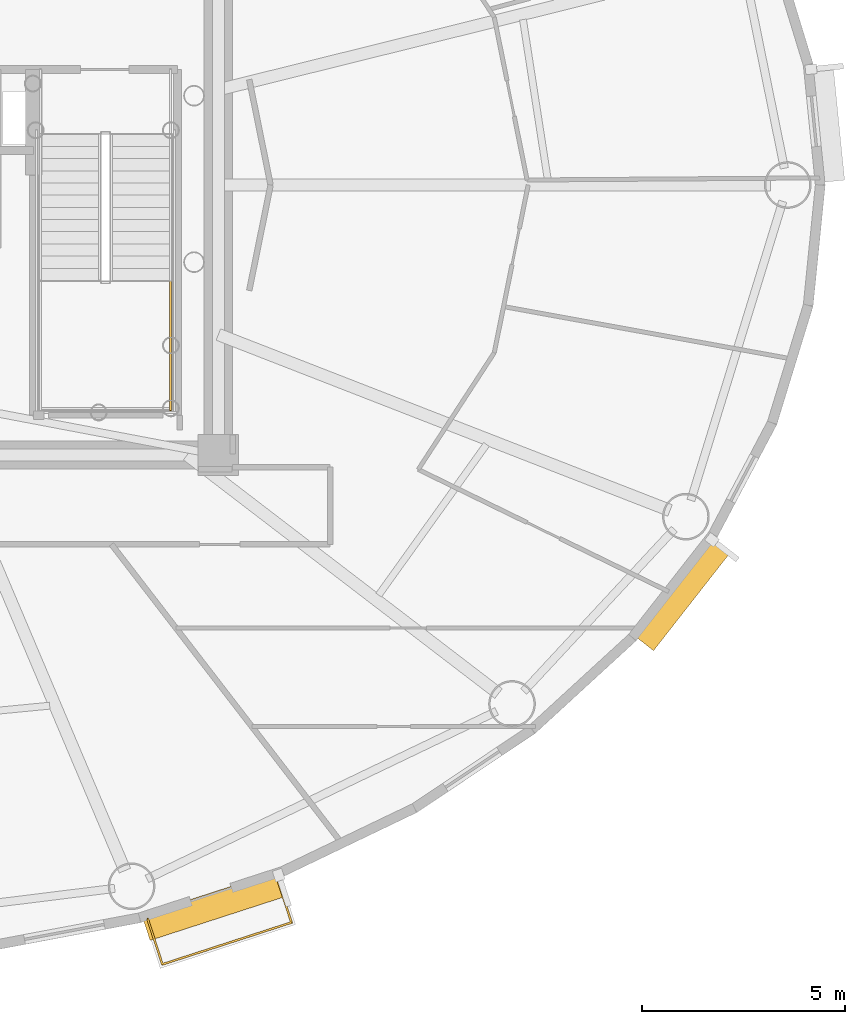
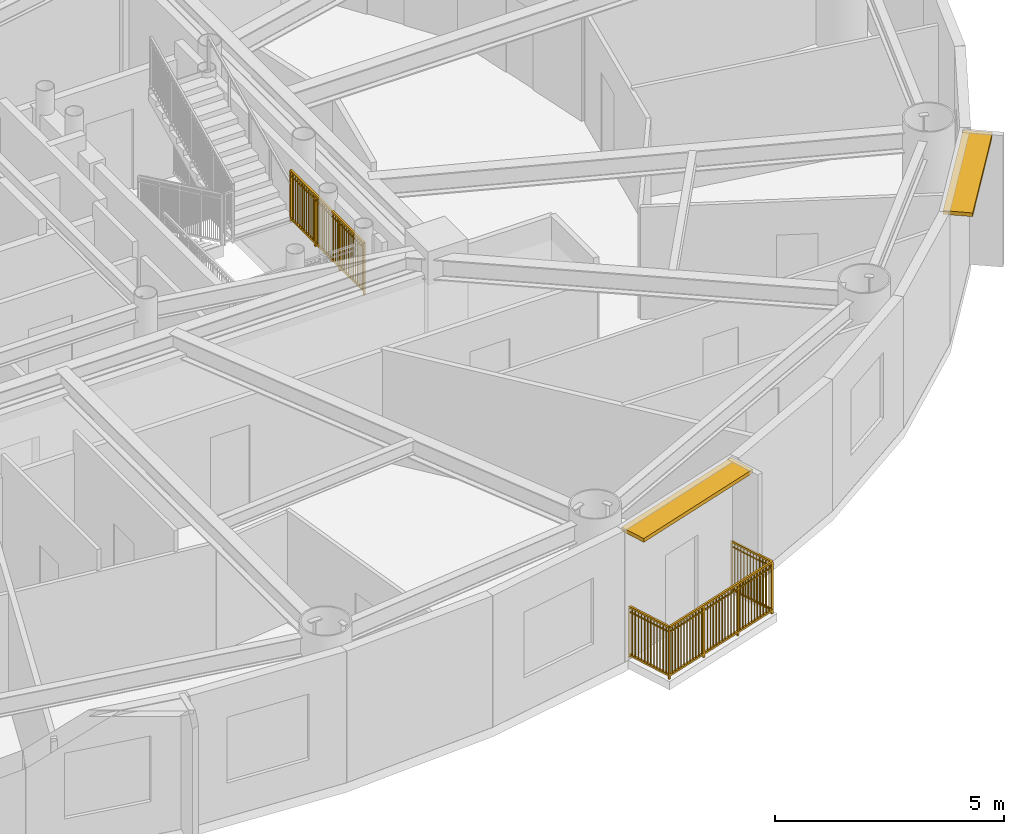
# One storey, part 16 of 18: 2 railings, 2 shading devices.
"""IFC4 building model written with IfcOpenShell, lengths in metres."""

from ifc_helpers import new_model, si_unit, direction, frame, origin, origin_2d, place, context, subcontext, project, spatial, rectangle, extrude, source, transform, mapped, material, layer, layer_set, type_object, element, save


model = new_model("IFC4")

# Units and contexts
model_context = context("Model", 3, precision=1e-05, world=origin(), true_north=direction((0.0, 1.0)))
body_context = subcontext(model_context, "Body", "Model", "MODEL_VIEW")
ifc_project = project(units=[si_unit("LENGTHUNIT", "METRE"), si_unit("AREAUNIT", "SQUARE_METRE"), si_unit("VOLUMEUNIT", "CUBIC_METRE"), si_unit("PLANEANGLEUNIT", "RADIAN"), si_unit("MASSUNIT", "GRAM", prefix="KILO")], contexts=[model_context])

# Site, building, storey
site_placement = place(None, origin())
site = spatial("IfcSite", under=ifc_project, at=site_placement, CompositionType="ELEMENT")
building_placement = place(site_placement, origin())
building = spatial("IfcBuilding", under=site, at=building_placement, Name="Linh Dai School and Residence Tower", CompositionType="ELEMENT")
storey_placement = place(building_placement, frame((0.0, 0.0, 225.300048828125)))
storey = spatial("IfcBuildingStorey", under=building, at=storey_placement, Name="L55", CompositionType="ELEMENT", Elevation=225.300048828125)

# Shading devices
ifc_material_1 = material(Name="Terracotta Ceramic Sunshade", Category="masonry")
ifc_layer = layer(ifc_material_1, 0.10009765625)
ifc_layer_set = layer_set([ifc_layer], Name="Terracotta Ceramic Sunshade")
shading_device_type = type_object("IfcShadingDeviceType", Name="SHD-TC-650", PredefinedType="USERDEFINED", material=ifc_layer_set)
shared_shape_1 = source(origin(), body_context, "Body", "SweptSolid", [
    extrude(rectangle(XDim=3.554443359375, YDim=0.64990234375, at=origin_2d()), origin(), (0.0, 0.0, 1.0), 0.10009765625),
])
shading_device_1_placement = place(storey_placement, frame((45.358154296875, 9.251220703125, 3.3798828125), z_axis=(0.0, 0.0, 1.0), x_axis=(-0.951223997135, -0.308501065272, 0.0)))
element("IfcShadingDevice", 1, at=shading_device_1_placement, inside=storey, type_object=shading_device_type, Name="L55 Terracotta Horizontal Sunshade Band 33", ObjectType="SUNSHADE", PredefinedType="USERDEFINED", context=body_context, shape_type="MappedRepresentation", body=[
    mapped(shared_shape_1, transform((0.0, 0.0, 0.0), x_axis=(1.0, 0.0, 0.0), y_axis=(0.0, 1.0, 0.0), z_axis=(0.0, 0.0, 1.0), scale=1.0)),
])
shared_shape_2 = source(origin(), body_context, "Body", "SweptSolid", [
    extrude(rectangle(XDim=3.095703125, YDim=0.64990234375, at=origin_2d()), origin(), (0.0, 0.0, 1.0), 0.10009765625),
])
shading_device_2_placement = place(storey_placement, frame((56.866455078125, 16.949462890625, 3.3798828125), z_axis=(0.0, 0.0, 1.0), x_axis=(-0.616333598027, -0.787485171888, 0.0)))
element("IfcShadingDevice", 2, at=shading_device_2_placement, inside=storey, type_object=shading_device_type, Name="L55 Terracotta Horizontal Sunshade Band 37", ObjectType="SUNSHADE", PredefinedType="USERDEFINED", context=body_context, shape_type="MappedRepresentation", body=[
    mapped(shared_shape_2, transform((0.0, 0.0, 0.0), x_axis=(1.0, 0.0, 0.0), y_axis=(0.0, 1.0, 0.0), z_axis=(0.0, 0.0, 1.0), scale=1.0)),
])

# Railings
ifc_material_2 = material(Name="Structural Steel S355JR", Category="steel")
railing_type_1 = type_object("IfcRailingType", Name="RL-BAL-1400", PredefinedType="BALUSTRADE", material=ifc_material_2)
shared_shape_3 = source(origin(), body_context, "Body", "SweptSolid", [
    extrude(rectangle(XDim=0.048095703125, YDim=0.048095703125, at=origin_2d()), frame((0.0, 0.0, 1.3759765625), z_axis=(0.308459164781, -0.951237585287, 0.0), x_axis=(0.951237585287, 0.308459164781, 0.0)), (0.0, 0.0, 1.0), 1.18017578125),
    extrude(rectangle(XDim=0.048095703125, YDim=0.048095703125, at=origin_2d()), frame((0.0, 0.0, 0.10009765625), z_axis=(0.308459164781, -0.951237585287, 0.0), x_axis=(0.951237585287, 0.308459164781, 0.0)), (0.0, 0.0, 1.0), 1.18017578125),
    extrude(rectangle(XDim=0.030029296875, YDim=0.030029296875, at=origin_2d()), frame((0.0, 0.0, 1.239990234375), z_axis=(0.308459164781, -0.951237585287, 0.0), x_axis=(0.951237585287, 0.308459164781, 0.0)), (0.0, 0.0, 1.0), 1.18017578125),
    extrude(rectangle(XDim=0.02001953125, YDim=0.02001953125, at=origin_2d()), frame((0.028076171875, -0.08642578125, 0.10009765625)), (0.0, 0.0, 1.0), 1.251708984375),
    extrude(rectangle(XDim=0.02001953125, YDim=0.02001953125, at=origin_2d()), frame((0.055908203125, -0.172607421875, 0.10009765625)), (0.0, 0.0, 1.0), 1.251708984375),
    extrude(rectangle(XDim=0.02001953125, YDim=0.02001953125, at=origin_2d()), frame((0.083984375, -0.259033203125, 0.10009765625)), (0.0, 0.0, 1.0), 1.251708984375),
    extrude(rectangle(XDim=0.02001953125, YDim=0.02001953125, at=origin_2d()), frame((0.112060546875, -0.345458984375, 0.10009765625)), (0.0, 0.0, 1.0), 1.251708984375),
    extrude(rectangle(XDim=0.02001953125, YDim=0.02001953125, at=origin_2d()), frame((0.139892578125, -0.431640625, 0.10009765625)), (0.0, 0.0, 1.0), 1.251708984375),
    extrude(rectangle(XDim=0.02001953125, YDim=0.02001953125, at=origin_2d()), frame((0.16796875, -0.51806640625, 0.10009765625)), (0.0, 0.0, 1.0), 1.251708984375),
    extrude(rectangle(XDim=0.02001953125, YDim=0.02001953125, at=origin_2d()), frame((0.196044921875, -0.6044921875, 0.10009765625)), (0.0, 0.0, 1.0), 1.251708984375),
    extrude(rectangle(XDim=0.02001953125, YDim=0.02001953125, at=origin_2d()), frame((0.22412109375, -0.69091796875, 0.10009765625)), (0.0, 0.0, 1.0), 1.251708984375),
    extrude(rectangle(XDim=0.02001953125, YDim=0.02001953125, at=origin_2d()), frame((0.251953125, -0.777099609375, 0.10009765625)), (0.0, 0.0, 1.0), 1.251708984375),
    extrude(rectangle(XDim=0.02001953125, YDim=0.02001953125, at=origin_2d()), frame((0.280029296875, -0.863525390625, 0.10009765625)), (0.0, 0.0, 1.0), 1.251708984375),
    extrude(rectangle(XDim=0.02001953125, YDim=0.02001953125, at=origin_2d()), frame((0.30810546875, -0.949951171875, 0.10009765625)), (0.0, 0.0, 1.0), 1.251708984375),
    extrude(rectangle(XDim=0.02001953125, YDim=0.02001953125, at=origin_2d()), frame((0.3359375, -1.0361328125, 0.10009765625)), (0.0, 0.0, 1.0), 1.251708984375),
    extrude(rectangle(XDim=0.048095703125, YDim=0.048095703125, at=origin_2d()), frame((0.364013671875, -1.12255859375, 1.3759765625), z_axis=(-0.951237300955, -0.308460041613, 0.0), x_axis=(0.308460041613, -0.951237300955, 0.0)), (0.0, 0.0, 1.0), 3.342529296875),
    extrude(rectangle(XDim=0.048095703125, YDim=0.048095703125, at=origin_2d()), frame((0.364013671875, -1.12255859375, 0.10009765625), z_axis=(-0.951237300955, -0.308460041613, 0.0), x_axis=(0.308460041613, -0.951237300955, 0.0)), (0.0, 0.0, 1.0), 3.342529296875),
    extrude(rectangle(XDim=0.030029296875, YDim=0.030029296875, at=origin_2d()), frame((0.364013671875, -1.12255859375, 1.239990234375), z_axis=(-0.951237300955, -0.308460041613, 0.0), x_axis=(0.308460041613, -0.951237300955, 0.0)), (0.0, 0.0, 1.0), 3.342529296875),
    extrude(rectangle(XDim=0.02001953125, YDim=0.02001953125, at=origin_2d()), frame((0.273193359375, -1.152099609375, 0.10009765625)), (0.0, 0.0, 1.0), 1.251708984375),
    extrude(rectangle(XDim=0.02001953125, YDim=0.02001953125, at=origin_2d()), frame((0.182373046875, -1.181396484375, 0.10009765625)), (0.0, 0.0, 1.0), 1.251708984375),
    extrude(rectangle(XDim=0.02001953125, YDim=0.02001953125, at=origin_2d()), frame((0.091552734375, -1.2109375, 0.10009765625)), (0.0, 0.0, 1.0), 1.251708984375),
    extrude(rectangle(XDim=0.02001953125, YDim=0.02001953125, at=origin_2d()), frame((0.000732421875, -1.240478515625, 0.10009765625)), (0.0, 0.0, 1.0), 1.251708984375),
    extrude(rectangle(XDim=0.02001953125, YDim=0.02001953125, at=origin_2d()), frame((-0.090087890625, -1.269775390625, 0.10009765625)), (0.0, 0.0, 1.0), 1.251708984375),
    extrude(rectangle(XDim=0.02001953125, YDim=0.02001953125, at=origin_2d()), frame((-0.18115234375, -1.29931640625, 0.10009765625)), (0.0, 0.0, 1.0), 1.251708984375),
    extrude(rectangle(XDim=0.02001953125, YDim=0.02001953125, at=origin_2d()), frame((-0.27197265625, -1.328857421875, 0.10009765625)), (0.0, 0.0, 1.0), 1.251708984375),
    extrude(rectangle(XDim=0.02001953125, YDim=0.02001953125, at=origin_2d()), frame((-0.36279296875, -1.358154296875, 0.10009765625)), (0.0, 0.0, 1.0), 1.251708984375),
    extrude(rectangle(XDim=0.02001953125, YDim=0.02001953125, at=origin_2d()), frame((-0.45361328125, -1.3876953125, 0.10009765625)), (0.0, 0.0, 1.0), 1.251708984375),
    extrude(rectangle(XDim=0.02001953125, YDim=0.02001953125, at=origin_2d()), frame((-0.54443359375, -1.417236328125, 0.10009765625)), (0.0, 0.0, 1.0), 1.251708984375),
    extrude(rectangle(XDim=0.02001953125, YDim=0.02001953125, at=origin_2d()), frame((-0.63525390625, -1.446533203125, 0.10009765625)), (0.0, 0.0, 1.0), 1.251708984375),
    extrude(rectangle(XDim=0.02001953125, YDim=0.02001953125, at=origin_2d()), frame((-0.81689453125, -1.505615234375, 0.10009765625)), (0.0, 0.0, 1.0), 1.251708984375),
    extrude(rectangle(XDim=0.02001953125, YDim=0.02001953125, at=origin_2d()), frame((-0.90771484375, -1.534912109375, 0.10009765625)), (0.0, 0.0, 1.0), 1.251708984375),
    extrude(rectangle(XDim=0.02001953125, YDim=0.02001953125, at=origin_2d()), frame((-0.99853515625, -1.564453125, 0.10009765625)), (0.0, 0.0, 1.0), 1.251708984375),
    extrude(rectangle(XDim=0.02001953125, YDim=0.02001953125, at=origin_2d()), frame((-1.08935546875, -1.593994140625, 0.10009765625)), (0.0, 0.0, 1.0), 1.251708984375),
    extrude(rectangle(XDim=0.02001953125, YDim=0.02001953125, at=origin_2d()), frame((-1.18017578125, -1.623291015625, 0.10009765625)), (0.0, 0.0, 1.0), 1.251708984375),
    extrude(rectangle(XDim=0.02001953125, YDim=0.02001953125, at=origin_2d()), frame((-1.271240234375, -1.65283203125, 0.10009765625)), (0.0, 0.0, 1.0), 1.251708984375),
    extrude(rectangle(XDim=0.02001953125, YDim=0.02001953125, at=origin_2d()), frame((-1.362060546875, -1.68212890625, 0.10009765625)), (0.0, 0.0, 1.0), 1.251708984375),
    extrude(rectangle(XDim=0.02001953125, YDim=0.02001953125, at=origin_2d()), frame((-1.452880859375, -1.711669921875, 0.10009765625)), (0.0, 0.0, 1.0), 1.251708984375),
    extrude(rectangle(XDim=0.02001953125, YDim=0.02001953125, at=origin_2d()), frame((-1.543701171875, -1.7412109375, 0.10009765625)), (0.0, 0.0, 1.0), 1.251708984375),
    extrude(rectangle(XDim=0.02001953125, YDim=0.02001953125, at=origin_2d()), frame((-1.634521484375, -1.7705078125, 0.10009765625)), (0.0, 0.0, 1.0), 1.251708984375),
    extrude(rectangle(XDim=0.02001953125, YDim=0.02001953125, at=origin_2d()), frame((-1.816162109375, -1.82958984375, 0.10009765625)), (0.0, 0.0, 1.0), 1.251708984375),
    extrude(rectangle(XDim=0.02001953125, YDim=0.02001953125, at=origin_2d()), frame((-1.906982421875, -1.85888671875, 0.10009765625)), (0.0, 0.0, 1.0), 1.251708984375),
    extrude(rectangle(XDim=0.02001953125, YDim=0.02001953125, at=origin_2d()), frame((-1.997802734375, -1.888427734375, 0.10009765625)), (0.0, 0.0, 1.0), 1.251708984375),
    extrude(rectangle(XDim=0.02001953125, YDim=0.02001953125, at=origin_2d()), frame((-2.088623046875, -1.91796875, 0.10009765625)), (0.0, 0.0, 1.0), 1.251708984375),
    extrude(rectangle(XDim=0.02001953125, YDim=0.02001953125, at=origin_2d()), frame((-2.179443359375, -1.947265625, 0.10009765625)), (0.0, 0.0, 1.0), 1.251708984375),
    extrude(rectangle(XDim=0.02001953125, YDim=0.02001953125, at=origin_2d()), frame((-2.270263671875, -1.976806640625, 0.10009765625)), (0.0, 0.0, 1.0), 1.251708984375),
    extrude(rectangle(XDim=0.02001953125, YDim=0.02001953125, at=origin_2d()), frame((-2.361328125, -2.00634765625, 0.10009765625)), (0.0, 0.0, 1.0), 1.251708984375),
    extrude(rectangle(XDim=0.02001953125, YDim=0.02001953125, at=origin_2d()), frame((-2.4521484375, -2.03564453125, 0.10009765625)), (0.0, 0.0, 1.0), 1.251708984375),
    extrude(rectangle(XDim=0.02001953125, YDim=0.02001953125, at=origin_2d()), frame((-2.54296875, -2.065185546875, 0.10009765625)), (0.0, 0.0, 1.0), 1.251708984375),
    extrude(rectangle(XDim=0.02001953125, YDim=0.02001953125, at=origin_2d()), frame((-2.6337890625, -2.0947265625, 0.10009765625)), (0.0, 0.0, 1.0), 1.251708984375),
    extrude(rectangle(XDim=0.02001953125, YDim=0.02001953125, at=origin_2d()), frame((-2.724609375, -2.1240234375, 0.10009765625)), (0.0, 0.0, 1.0), 1.251708984375),
    extrude(rectangle(XDim=0.048095703125, YDim=0.048095703125, at=origin_2d()), frame((-2.8154296875, -2.153564453125, 1.3759765625), z_axis=(-0.30851987862, 0.951217895383, 0.0), x_axis=(-0.951217895383, -0.30851987862, 0.0)), (0.0, 0.0, 1.0), 1.179931640625),
    extrude(rectangle(XDim=0.048095703125, YDim=0.048095703125, at=origin_2d()), frame((-2.8154296875, -2.153564453125, 0.10009765625), z_axis=(-0.30851987862, 0.951217895383, 0.0), x_axis=(-0.951217895383, -0.30851987862, 0.0)), (0.0, 0.0, 1.0), 1.179931640625),
    extrude(rectangle(XDim=0.030029296875, YDim=0.030029296875, at=origin_2d()), frame((-2.8154296875, -2.153564453125, 1.239990234375), z_axis=(-0.30851987862, 0.951217895383, 0.0), x_axis=(-0.951217895383, -0.30851987862, 0.0)), (0.0, 0.0, 1.0), 1.179931640625),
    extrude(rectangle(XDim=0.02001953125, YDim=0.02001953125, at=origin_2d()), frame((-2.843505859375, -2.067138671875, 0.10009765625)), (0.0, 0.0, 1.0), 1.251708984375),
    extrude(rectangle(XDim=0.02001953125, YDim=0.02001953125, at=origin_2d()), frame((-2.871337890625, -1.98095703125, 0.10009765625)), (0.0, 0.0, 1.0), 1.251708984375),
    extrude(rectangle(XDim=0.02001953125, YDim=0.02001953125, at=origin_2d()), frame((-2.8994140625, -1.89453125, 0.10009765625)), (0.0, 0.0, 1.0), 1.251708984375),
    extrude(rectangle(XDim=0.02001953125, YDim=0.02001953125, at=origin_2d()), frame((-2.927490234375, -1.808349609375, 0.10009765625)), (0.0, 0.0, 1.0), 1.251708984375),
    extrude(rectangle(XDim=0.02001953125, YDim=0.02001953125, at=origin_2d()), frame((-2.955322265625, -1.721923828125, 0.10009765625)), (0.0, 0.0, 1.0), 1.251708984375),
    extrude(rectangle(XDim=0.02001953125, YDim=0.02001953125, at=origin_2d()), frame((-2.9833984375, -1.635498046875, 0.10009765625)), (0.0, 0.0, 1.0), 1.251708984375),
    extrude(rectangle(XDim=0.02001953125, YDim=0.02001953125, at=origin_2d()), frame((-3.011474609375, -1.54931640625, 0.10009765625)), (0.0, 0.0, 1.0), 1.251708984375),
    extrude(rectangle(XDim=0.02001953125, YDim=0.02001953125, at=origin_2d()), frame((-3.03955078125, -1.462890625, 0.10009765625)), (0.0, 0.0, 1.0), 1.251708984375),
    extrude(rectangle(XDim=0.02001953125, YDim=0.02001953125, at=origin_2d()), frame((-3.0673828125, -1.37646484375, 0.10009765625)), (0.0, 0.0, 1.0), 1.251708984375),
    extrude(rectangle(XDim=0.02001953125, YDim=0.02001953125, at=origin_2d()), frame((-3.095458984375, -1.290283203125, 0.10009765625)), (0.0, 0.0, 1.0), 1.251708984375),
    extrude(rectangle(XDim=0.02001953125, YDim=0.02001953125, at=origin_2d()), frame((-3.12353515625, -1.203857421875, 0.10009765625)), (0.0, 0.0, 1.0), 1.251708984375),
    extrude(rectangle(XDim=0.02001953125, YDim=0.02001953125, at=origin_2d()), frame((-3.1513671875, -1.11767578125, 0.10009765625)), (0.0, 0.0, 1.0), 1.251708984375),
    extrude(rectangle(XDim=0.0419921875, YDim=0.0419921875, at=origin_2d()), origin(), (0.0, 0.0, 1.0), 1.3759765625),
    extrude(rectangle(XDim=0.0419921875, YDim=0.0419921875, at=origin_2d()), frame((0.364013671875, -1.12255859375, 0.0)), (0.0, 0.0, 1.0), 1.3759765625),
    extrude(rectangle(XDim=0.0419921875, YDim=0.0419921875, at=origin_2d()), frame((-0.69580078125, -1.46630859375, 0.0)), (0.0, 0.0, 1.0), 1.3759765625),
    extrude(rectangle(XDim=0.0419921875, YDim=0.0419921875, at=origin_2d()), frame((-1.755615234375, -1.809814453125, 0.0)), (0.0, 0.0, 1.0), 1.3759765625),
    extrude(rectangle(XDim=0.0419921875, YDim=0.0419921875, at=origin_2d()), frame((-2.8154296875, -2.153564453125, 0.0)), (0.0, 0.0, 1.0), 1.3759765625),
    extrude(rectangle(XDim=0.0419921875, YDim=0.0419921875, at=origin_2d()), frame((-3.179443359375, -1.03125, 0.0)), (0.0, 0.0, 1.0), 1.3759765625),
])
railing_1_placement = place(storey_placement, frame((46.885986328125, 9.95703125, 0.0)))
element("IfcRailing", 3, at=railing_1_placement, inside=storey, type_object=railing_type_1, Name="L55 Balcony Safety Balustrade 33", PredefinedType="BALUSTRADE", context=body_context, shape_type="MappedRepresentation", body=[
    mapped(shared_shape_3, transform((0.0, 0.0, 0.0), x_axis=(1.0, 0.0, 0.0), y_axis=(0.0, 1.0, 0.0), z_axis=(0.0, 0.0, 1.0), scale=1.0)),
])
railing_type_2 = type_object("IfcRailingType", Name="RL-ST-GUARD-1400", PredefinedType="GUARDRAIL", material=ifc_material_2)
shared_shape_4 = source(origin(), body_context, "Body", "SweptSolid", [
    extrude(rectangle(XDim=0.048095703125, YDim=0.048095703125, at=origin_2d()), frame((0.0, 0.0, 1.3759765625), z_axis=(0.0, -1.0, 0.0), x_axis=(1.0, 0.0, 0.0)), (0.0, 0.0, 1.0), 3.199951171875),
    extrude(rectangle(XDim=0.048095703125, YDim=0.048095703125, at=origin_2d()), frame((0.0, 0.0, 0.10009765625), z_axis=(0.0, -1.0, 0.0), x_axis=(1.0, 0.0, 0.0)), (0.0, 0.0, 1.0), 3.199951171875),
    extrude(rectangle(XDim=0.030029296875, YDim=0.030029296875, at=origin_2d()), frame((0.0, 0.0, 1.239990234375), z_axis=(0.0, -1.0, 0.0), x_axis=(1.0, 0.0, 0.0)), (0.0, 0.0, 1.0), 3.199951171875),
    extrude(rectangle(XDim=0.02001953125, YDim=0.02001953125, at=origin_2d()), frame((0.0, -0.096923828125, 0.10009765625)), (0.0, 0.0, 1.0), 1.251708984375),
    extrude(rectangle(XDim=0.02001953125, YDim=0.02001953125, at=origin_2d()), frame((0.0, -0.19384765625, 0.10009765625)), (0.0, 0.0, 1.0), 1.251708984375),
    extrude(rectangle(XDim=0.02001953125, YDim=0.02001953125, at=origin_2d()), frame((0.0, -0.291015625, 0.10009765625)), (0.0, 0.0, 1.0), 1.251708984375),
    extrude(rectangle(XDim=0.02001953125, YDim=0.02001953125, at=origin_2d()), frame((0.0, -0.387939453125, 0.10009765625)), (0.0, 0.0, 1.0), 1.251708984375),
    extrude(rectangle(XDim=0.02001953125, YDim=0.02001953125, at=origin_2d()), frame((0.0, -0.48486328125, 0.10009765625)), (0.0, 0.0, 1.0), 1.251708984375),
    extrude(rectangle(XDim=0.02001953125, YDim=0.02001953125, at=origin_2d()), frame((0.0, -0.581787109375, 0.10009765625)), (0.0, 0.0, 1.0), 1.251708984375),
    extrude(rectangle(XDim=0.02001953125, YDim=0.02001953125, at=origin_2d()), frame((0.0, -0.6787109375, 0.10009765625)), (0.0, 0.0, 1.0), 1.251708984375),
    extrude(rectangle(XDim=0.02001953125, YDim=0.02001953125, at=origin_2d()), frame((0.0, -0.775634765625, 0.10009765625)), (0.0, 0.0, 1.0), 1.251708984375),
    extrude(rectangle(XDim=0.02001953125, YDim=0.02001953125, at=origin_2d()), frame((0.0, -0.872802734375, 0.10009765625)), (0.0, 0.0, 1.0), 1.251708984375),
    extrude(rectangle(XDim=0.02001953125, YDim=0.02001953125, at=origin_2d()), frame((0.0, -0.9697265625, 0.10009765625)), (0.0, 0.0, 1.0), 1.251708984375),
    extrude(rectangle(XDim=0.02001953125, YDim=0.02001953125, at=origin_2d()), frame((0.0, -1.16357421875, 0.10009765625)), (0.0, 0.0, 1.0), 1.251708984375),
    extrude(rectangle(XDim=0.02001953125, YDim=0.02001953125, at=origin_2d()), frame((0.0, -1.260498046875, 0.10009765625)), (0.0, 0.0, 1.0), 1.251708984375),
    extrude(rectangle(XDim=0.02001953125, YDim=0.02001953125, at=origin_2d()), frame((0.0, -1.357666015625, 0.10009765625)), (0.0, 0.0, 1.0), 1.251708984375),
    extrude(rectangle(XDim=0.02001953125, YDim=0.02001953125, at=origin_2d()), frame((0.0, -1.45458984375, 0.10009765625)), (0.0, 0.0, 1.0), 1.251708984375),
    extrude(rectangle(XDim=0.02001953125, YDim=0.02001953125, at=origin_2d()), frame((0.0, -1.551513671875, 0.10009765625)), (0.0, 0.0, 1.0), 1.251708984375),
    extrude(rectangle(XDim=0.02001953125, YDim=0.02001953125, at=origin_2d()), frame((0.0, -1.6484375, 0.10009765625)), (0.0, 0.0, 1.0), 1.251708984375),
    extrude(rectangle(XDim=0.02001953125, YDim=0.02001953125, at=origin_2d()), frame((0.0, -1.745361328125, 0.10009765625)), (0.0, 0.0, 1.0), 1.251708984375),
    extrude(rectangle(XDim=0.02001953125, YDim=0.02001953125, at=origin_2d()), frame((0.0, -1.84228515625, 0.10009765625)), (0.0, 0.0, 1.0), 1.251708984375),
    extrude(rectangle(XDim=0.02001953125, YDim=0.02001953125, at=origin_2d()), frame((0.0, -1.939453125, 0.10009765625)), (0.0, 0.0, 1.0), 1.251708984375),
    extrude(rectangle(XDim=0.02001953125, YDim=0.02001953125, at=origin_2d()), frame((0.0, -2.036376953125, 0.10009765625)), (0.0, 0.0, 1.0), 1.251708984375),
    extrude(rectangle(XDim=0.02001953125, YDim=0.02001953125, at=origin_2d()), frame((0.0, -2.230224609375, 0.10009765625)), (0.0, 0.0, 1.0), 1.251708984375),
    extrude(rectangle(XDim=0.02001953125, YDim=0.02001953125, at=origin_2d()), frame((0.0, -2.3271484375, 0.10009765625)), (0.0, 0.0, 1.0), 1.251708984375),
    extrude(rectangle(XDim=0.02001953125, YDim=0.02001953125, at=origin_2d()), frame((0.0, -2.42431640625, 0.10009765625)), (0.0, 0.0, 1.0), 1.251708984375),
    extrude(rectangle(XDim=0.02001953125, YDim=0.02001953125, at=origin_2d()), frame((0.0, -2.521240234375, 0.10009765625)), (0.0, 0.0, 1.0), 1.251708984375),
    extrude(rectangle(XDim=0.02001953125, YDim=0.02001953125, at=origin_2d()), frame((0.0, -2.6181640625, 0.10009765625)), (0.0, 0.0, 1.0), 1.251708984375),
    extrude(rectangle(XDim=0.02001953125, YDim=0.02001953125, at=origin_2d()), frame((0.0, -2.715087890625, 0.10009765625)), (0.0, 0.0, 1.0), 1.251708984375),
    extrude(rectangle(XDim=0.02001953125, YDim=0.02001953125, at=origin_2d()), frame((0.0, -2.81201171875, 0.10009765625)), (0.0, 0.0, 1.0), 1.251708984375),
    extrude(rectangle(XDim=0.02001953125, YDim=0.02001953125, at=origin_2d()), frame((0.0, -2.908935546875, 0.10009765625)), (0.0, 0.0, 1.0), 1.251708984375),
    extrude(rectangle(XDim=0.02001953125, YDim=0.02001953125, at=origin_2d()), frame((0.0, -3.006103515625, 0.10009765625)), (0.0, 0.0, 1.0), 1.251708984375),
    extrude(rectangle(XDim=0.02001953125, YDim=0.02001953125, at=origin_2d()), frame((0.0, -3.10302734375, 0.10009765625)), (0.0, 0.0, 1.0), 1.251708984375),
    extrude(rectangle(XDim=0.0419921875, YDim=0.0419921875, at=origin_2d()), origin(), (0.0, 0.0, 1.0), 1.3759765625),
    extrude(rectangle(XDim=0.0419921875, YDim=0.0419921875, at=origin_2d()), frame((0.0, -1.066650390625, 0.0)), (0.0, 0.0, 1.0), 1.3759765625),
    extrude(rectangle(XDim=0.0419921875, YDim=0.0419921875, at=origin_2d()), frame((0.0, -2.13330078125, 0.0)), (0.0, 0.0, 1.0), 1.3759765625),
    extrude(rectangle(XDim=0.0419921875, YDim=0.0419921875, at=origin_2d()), frame((0.0, -3.199951171875, 0.0)), (0.0, 0.0, 1.0), 1.3759765625),
])
railing_2_placement = place(storey_placement, frame((44.27001953125, 24.64990234375, 1.875)))
element("IfcRailing", 4, at=railing_2_placement, inside=storey, type_object=railing_type_2, Name="L55 ST2 stair guard 4", PredefinedType="GUARDRAIL", context=body_context, shape_type="MappedRepresentation", body=[
    mapped(shared_shape_4, transform((0.0, 0.0, 0.0), x_axis=(1.0, 0.0, 0.0), y_axis=(0.0, 1.0, 0.0), z_axis=(0.0, 0.0, 1.0), scale=1.0)),
])

save(model, "model.ifc")
